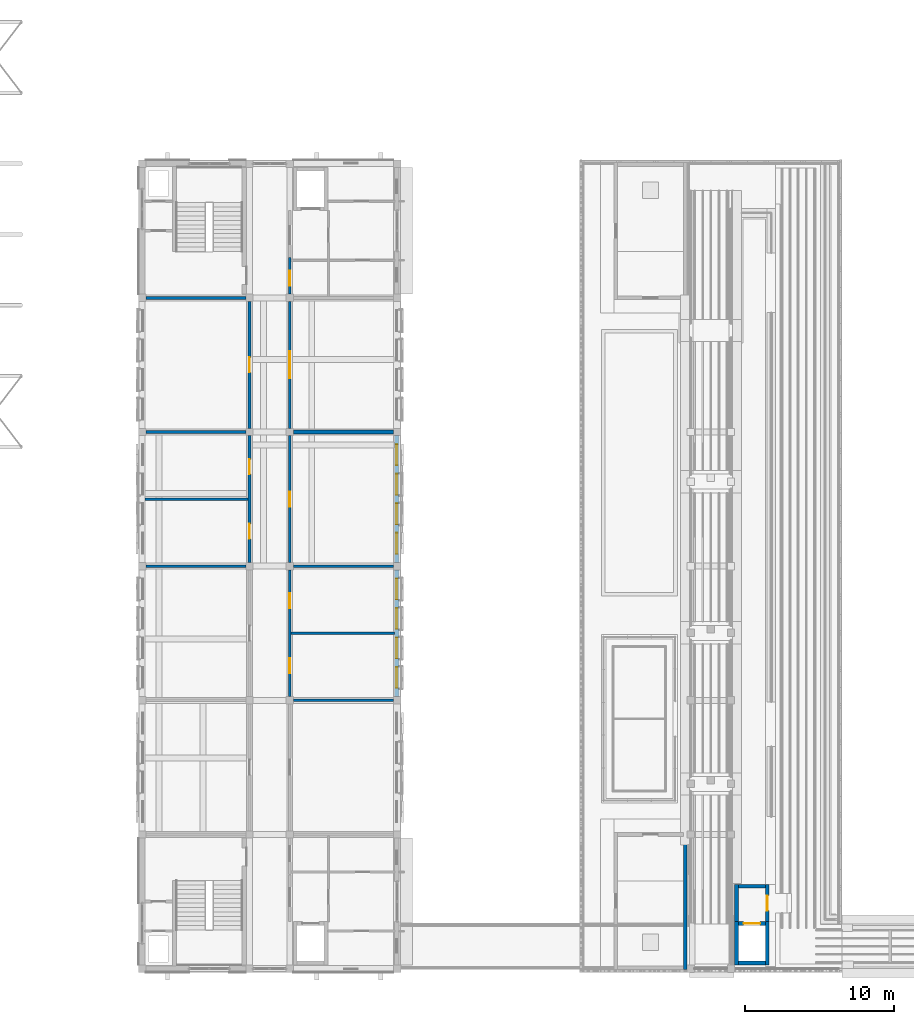
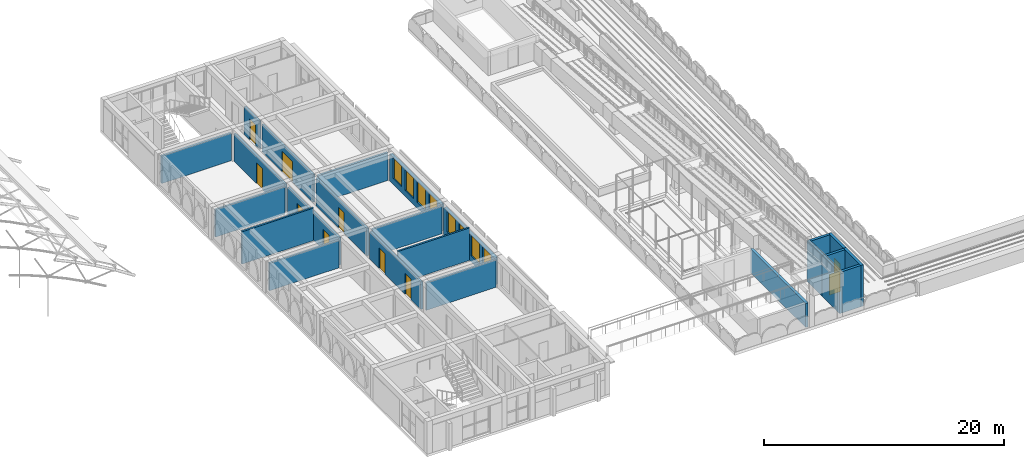
# One storey, part 31 of 50: 24 walls, 10 doors, 8 windows, 18 openings.
"""IFC4 building model written with IfcOpenShell, lengths in metres."""

from ifc_helpers import new_model, si_unit, direction, frame, frame_2d, origin, place, context, subcontext, project, spatial, rectangle, extrude, material, layer, layer_set, type_object, element, fill, save


model = new_model("IFC4")

# Units and contexts
model_context = context("Model", 3, precision=1e-05, world=origin(), true_north=direction((0.0, 1.0)))
body_context = subcontext(model_context, "Body", "Model", "MODEL_VIEW")
ifc_project = project(units=[si_unit("LENGTHUNIT", "METRE"), si_unit("AREAUNIT", "SQUARE_METRE"), si_unit("VOLUMEUNIT", "CUBIC_METRE"), si_unit("PLANEANGLEUNIT", "RADIAN"), si_unit("MASSUNIT", "GRAM", prefix="KILO")], contexts=[model_context])

# Site, building, storey
site_placement = place(None, origin())
site = spatial("IfcSite", under=ifc_project, at=site_placement, CompositionType="ELEMENT")
building_placement = place(site_placement, origin())
building = spatial("IfcBuilding", under=site, at=building_placement, Name="Elbe Cascade School", CompositionType="ELEMENT")
storey_placement = place(building_placement, frame((0.0, 0.0, 15.300048828125)))
storey = spatial("IfcBuildingStorey", under=building, at=storey_placement, Name="L04", CompositionType="ELEMENT", Elevation=15.300048828125)

# Walls
ifc_material_1 = material(Name="Masonry - lime-sand block, plastered", Category="masonry")
ifc_layer_1 = layer(ifc_material_1, 0.239990234375)
ifc_layer_set_1 = layer_set([ifc_layer_1], Name="Masonry - lime-sand block, plastered")
wall_type_1 = type_object("IfcWallType", Name="Bar acoustic partition wall lime-sand block 240", PredefinedType="PARTITIONING", material=ifc_layer_set_1)
wall_1_placement = place(storey_placement, frame((79.14990234375, 42.0, 0.0), z_axis=(0.0, 0.0, 1.0), x_axis=(1.0, 0.0, 0.0)))
element("IfcWall", 1, at=wall_1_placement, inside=storey, type_object=wall_type_1, Name="Bar acoustic partition wall lime-sand block 240", PredefinedType="PARTITIONING", context=body_context, shape_type="SweptSolid", body=[
    extrude(rectangle(XDim=6.7001953125, YDim=0.239990234375, at=frame_2d((3.35009765625, 0.0))), origin(), (0.0, 0.0, 1.0), 2.800048828125),
])
ifc_material_2 = material(Name="Masonry - lime-sand block, plastered", Category="masonry")
ifc_layer_2 = layer(ifc_material_2, 0.175048828125)
ifc_layer_set_2 = layer_set([ifc_layer_2], Name="Masonry - lime-sand block, plastered")
wall_type_2 = type_object("IfcWallType", Name="Bar classroom partition wall lime-sand block 175", PredefinedType="PARTITIONING", material=ifc_layer_set_2)
wall_2_placement = place(storey_placement, frame((69.25, 33.0, 0.0), z_axis=(0.0, 0.0, 1.0), x_axis=(1.0, 0.0, 0.0)))
element("IfcWall", 2, at=wall_2_placement, inside=storey, type_object=wall_type_2, Name="Bar classroom partition wall lime-sand block 175", PredefinedType="PARTITIONING", context=body_context, shape_type="SweptSolid", body=[
    extrude(rectangle(XDim=6.699951171875, YDim=0.175048828125, at=frame_2d((3.35009765625, 0.0))), origin(), (0.0, 0.0, 1.0), 2.800048828125),
])
wall_3_placement = place(storey_placement, frame((69.179931640625, 37.5, 0.0), z_axis=(0.0, 0.0, 1.0), x_axis=(1.0, 0.0, 0.0)))
element("IfcWall", 3, at=wall_3_placement, inside=storey, type_object=wall_type_2, Name="Bar classroom partition wall lime-sand block 175", PredefinedType="PARTITIONING", context=body_context, shape_type="SweptSolid", body=[
    extrude(rectangle(XDim=6.920166015625, YDim=0.175048828125, at=frame_2d((3.4599609375, 0.0))), origin(), (0.0, 0.0, 1.0), 3.300048828125),
])
wall_4_placement = place(storey_placement, frame((69.25, 42.0, 0.0), z_axis=(0.0, 0.0, 1.0), x_axis=(1.0, 0.0, 0.0)))
element("IfcWall", 4, at=wall_4_placement, inside=storey, type_object=wall_type_2, Name="Bar classroom partition wall lime-sand block 175", PredefinedType="PARTITIONING", context=body_context, shape_type="SweptSolid", body=[
    extrude(rectangle(XDim=6.699951171875, YDim=0.175048828125, at=frame_2d((3.35009765625, 0.0))), origin(), (0.0, 0.0, 1.0), 2.800048828125),
])
wall_5_placement = place(storey_placement, frame((79.14990234375, 24.0, 0.0), z_axis=(0.0, 0.0, 1.0), x_axis=(1.0, 0.0, 0.0)))
element("IfcWall", 5, at=wall_5_placement, inside=storey, type_object=wall_type_2, Name="Bar classroom partition wall lime-sand block 175", PredefinedType="PARTITIONING", context=body_context, shape_type="SweptSolid", body=[
    extrude(rectangle(XDim=6.7001953125, YDim=0.175048828125, at=frame_2d((3.35009765625, 0.0))), origin(), (0.0, 0.0, 1.0), 2.800048828125),
])
wall_6_placement = place(storey_placement, frame((79.0, 28.5, 0.0), z_axis=(0.0, 0.0, 1.0), x_axis=(1.0, 0.0, 0.0)))
element("IfcWall", 6, at=wall_6_placement, inside=storey, type_object=wall_type_2, Name="Bar classroom partition wall lime-sand block 175", PredefinedType="PARTITIONING", context=body_context, shape_type="SweptSolid", body=[
    extrude(rectangle(XDim=6.919921875, YDim=0.175048828125, at=frame_2d((3.4599609375, 0.0))), origin(), (0.0, 0.0, 1.0), 3.300048828125),
])
wall_7_placement = place(storey_placement, frame((79.14990234375, 33.0, 0.0), z_axis=(0.0, 0.0, 1.0), x_axis=(1.0, 0.0, 0.0)))
element("IfcWall", 7, at=wall_7_placement, inside=storey, type_object=wall_type_2, Name="Bar classroom partition wall lime-sand block 175", PredefinedType="PARTITIONING", context=body_context, shape_type="SweptSolid", body=[
    extrude(rectangle(XDim=6.7001953125, YDim=0.175048828125, at=frame_2d((3.35009765625, 0.0))), origin(), (0.0, 0.0, 1.0), 2.800048828125),
])

# Wall, opening, door
ifc_material_3 = material(Name="Masonry - lime-sand block, plastered", Category="masonry")
ifc_layer_3 = layer(ifc_material_3, 0.199951171875)
ifc_layer_set_3 = layer_set([ifc_layer_3], Name="Masonry - lime-sand block, plastered")
wall_type_3 = type_object("IfcWallType", Name="Bar corridor wall lime-sand block 200 EI 30", PredefinedType="PARTITIONING", material=ifc_layer_set_3)
wall_8_placement = place(storey_placement, frame((78.89990234375, 51.25, 0.0), z_axis=(0.0, 0.0, 1.0), x_axis=(0.0, 1.0, 0.0)))
wall_8 = element("IfcWall", 8, at=wall_8_placement, inside=storey, type_object=wall_type_3, Name="Bar corridor wall lime-sand block 200 EI 30", PredefinedType="PARTITIONING", context=body_context, shape_type="SweptSolid", body=[
    extrude(rectangle(XDim=2.449951171875, YDim=0.199951171875, at=frame_2d((1.22509765625, 0.0))), origin(), (0.0, 0.0, 1.0), 2.800048828125),
])
opening_1_placement = place(wall_8_placement, frame((0.550048828125, 0.0, 0.0)))
opening_1 = element("IfcOpeningElement", 9, at=opening_1_placement, cuts=wall_8, Name="Opening D4.020", PredefinedType="OPENING", context=body_context, shape_type="SweptSolid", body=[
    extrude(rectangle(XDim=1.0, YDim=2.10009765625, at=frame_2d((0.5, 1.050048828125))), frame((0.0, 0.10986328125, 0.0), z_axis=(0.0, -1.0, 0.0), x_axis=(1.0, 0.0, 0.0)), (0.0, 0.0, 1.0), 0.219970703125),
])
ifc_material_4 = material(Name="Timber door leaf, fire-resisting, steel frame", Category="steel")
door_type_1 = type_object("IfcDoorType", Name="Bar door FD30 1000x2100", OperationType="NOTDEFINED", PredefinedType="DOOR", material=ifc_material_4)
door_1_placement = place(opening_1_placement, origin())
door_1 = element("IfcDoor", 10, at=door_1_placement, inside=storey, type_object=door_type_1, Name="Door A4.19", OperationType="SINGLE_SWING_RIGHT", OverallHeight=2.10009765625, OverallWidth=1.0, PredefinedType="DOOR", context=body_context, shape_type="SweptSolid", body=[
    extrude(rectangle(XDim=1.0, YDim=2.10009765625, at=frame_2d((0.5, 1.050048828125))), frame((0.0, 0.02490234375, 0.0), z_axis=(0.0, -1.0, 0.0), x_axis=(1.0, 0.0, 0.0)), (0.0, 0.0, 1.0), 0.050048828125),
])
fill(opening_1, door_1)

# Wall, openings, doors
wall_9_placement = place(storey_placement, frame((76.199951171875, 33.25, 0.0), z_axis=(0.0, 0.0, 1.0), x_axis=(0.0, 1.0, 0.0)))
wall_9 = element("IfcWall", 11, at=wall_9_placement, inside=storey, type_object=wall_type_3, Name="Bar corridor wall lime-sand block 200 EI 30", PredefinedType="PARTITIONING", context=body_context, shape_type="SweptSolid", body=[
    extrude(rectangle(XDim=8.5, YDim=0.199951171875, at=frame_2d((4.25, 0.0))), origin(), (0.0, 0.0, 1.0), 2.800048828125),
])
opening_2_placement = place(wall_9_placement, frame((1.581298828125, 0.0, 0.0)))
opening_2 = element("IfcOpeningElement", 12, at=opening_2_placement, cuts=wall_9, Name="Opening D4.015", PredefinedType="OPENING", context=body_context, shape_type="SweptSolid", body=[
    extrude(rectangle(XDim=1.0, YDim=2.10009765625, at=frame_2d((0.5, 1.050048828125))), frame((0.0, 0.10986328125, 0.0), z_axis=(0.0, -1.0, 0.0), x_axis=(1.0, 0.0, 0.0)), (0.0, 0.0, 1.0), 0.219970703125),
])
opening_3_placement = place(wall_9_placement, frame((5.918701171875, 0.0, 0.0)))
opening_3 = element("IfcOpeningElement", 13, at=opening_3_placement, cuts=wall_9, Name="Opening D4.017", PredefinedType="OPENING", context=body_context, shape_type="SweptSolid", body=[
    extrude(rectangle(XDim=1.0, YDim=2.10009765625, at=frame_2d((0.5, 1.050048828125))), frame((0.0, 0.10986328125, 0.0), z_axis=(0.0, -1.0, 0.0), x_axis=(1.0, 0.0, 0.0)), (0.0, 0.0, 1.0), 0.219970703125),
])
door_2_placement = place(opening_2_placement, origin())
door_2 = element("IfcDoor", 14, at=door_2_placement, inside=storey, type_object=door_type_1, Name="Door A4.22", OperationType="SINGLE_SWING_LEFT", OverallHeight=2.10009765625, OverallWidth=1.0, PredefinedType="DOOR", context=body_context, shape_type="SweptSolid", body=[
    extrude(rectangle(XDim=1.0, YDim=2.10009765625, at=frame_2d((0.5, 1.050048828125))), frame((0.0, 0.02490234375, 0.0), z_axis=(0.0, -1.0, 0.0), x_axis=(1.0, 0.0, 0.0)), (0.0, 0.0, 1.0), 0.050048828125),
])
fill(opening_2, door_2)
door_3_placement = place(opening_3_placement, origin())
door_3 = element("IfcDoor", 15, at=door_3_placement, inside=storey, type_object=door_type_1, Name="Door A4.23", OperationType="SINGLE_SWING_RIGHT", OverallHeight=2.10009765625, OverallWidth=1.0, PredefinedType="DOOR", context=body_context, shape_type="SweptSolid", body=[
    extrude(rectangle(XDim=1.0, YDim=2.10009765625, at=frame_2d((0.5, 1.050048828125))), frame((0.0, 0.02490234375, 0.0), z_axis=(0.0, -1.0, 0.0), x_axis=(1.0, 0.0, 0.0)), (0.0, 0.0, 1.0), 0.050048828125),
])
fill(opening_3, door_3)

# Wall, opening, door
wall_10_placement = place(storey_placement, frame((76.199951171875, 42.25, 0.0), z_axis=(0.0, 0.0, 1.0), x_axis=(0.0, 1.0, 0.0)))
wall_10 = element("IfcWall", 16, at=wall_10_placement, inside=storey, type_object=wall_type_3, Name="Bar corridor wall lime-sand block 200 EI 30", PredefinedType="PARTITIONING", context=body_context, shape_type="SweptSolid", body=[
    extrude(rectangle(XDim=8.5, YDim=0.199951171875, at=frame_2d((4.25, 0.0))), origin(), (0.0, 0.0, 1.0), 2.800048828125),
])
opening_4_placement = place(wall_10_placement, frame((3.75, 0.0, 0.0)))
opening_4 = element("IfcOpeningElement", 17, at=opening_4_placement, cuts=wall_10, Name="Opening D4.018", PredefinedType="OPENING", context=body_context, shape_type="SweptSolid", body=[
    extrude(rectangle(XDim=1.0, YDim=2.10009765625, at=frame_2d((0.5, 1.050048828125))), frame((0.0, 0.10986328125, 0.0), z_axis=(0.0, -1.0, 0.0), x_axis=(1.0, 0.0, 0.0)), (0.0, 0.0, 1.0), 0.219970703125),
])
door_4_placement = place(opening_4_placement, origin())
door_4 = element("IfcDoor", 18, at=door_4_placement, inside=storey, type_object=door_type_1, Name="Door A4.24", OperationType="SINGLE_SWING_LEFT", OverallHeight=2.10009765625, OverallWidth=1.0, PredefinedType="DOOR", context=body_context, shape_type="SweptSolid", body=[
    extrude(rectangle(XDim=1.0, YDim=2.10009765625, at=frame_2d((0.5, 1.050048828125))), frame((0.0, 0.02490234375, 0.0), z_axis=(0.0, -1.0, 0.0), x_axis=(1.0, 0.0, 0.0)), (0.0, 0.0, 1.0), 0.050048828125),
])
fill(opening_4, door_4)

# Wall, openings, doors
wall_11_placement = place(storey_placement, frame((78.89990234375, 32.75, 0.0), z_axis=(0.0, 0.0, 1.0), x_axis=(0.0, -1.0, 0.0)))
wall_11 = element("IfcWall", 19, at=wall_11_placement, inside=storey, type_object=wall_type_3, Name="Bar corridor wall lime-sand block 200 EI 30", PredefinedType="PARTITIONING", context=body_context, shape_type="SweptSolid", body=[
    extrude(rectangle(XDim=8.5, YDim=0.199951171875, at=frame_2d((4.25, 0.0))), origin(), (0.0, 0.0, 1.0), 2.800048828125),
])
opening_5_placement = place(wall_11_placement, frame((5.918701171875, 0.0, 0.0)))
opening_5 = element("IfcOpeningElement", 20, at=opening_5_placement, cuts=wall_11, Name="Opening D4.012", PredefinedType="OPENING", context=body_context, shape_type="SweptSolid", body=[
    extrude(rectangle(XDim=1.0, YDim=2.10009765625, at=frame_2d((0.5, 1.050048828125))), frame((0.0, 0.10986328125, 0.0), z_axis=(0.0, -1.0, 0.0), x_axis=(1.0, 0.0, 0.0)), (0.0, 0.0, 1.0), 0.219970703125),
])
opening_6_placement = place(wall_11_placement, frame((1.581298828125, 0.0, 0.0)))
opening_6 = element("IfcOpeningElement", 21, at=opening_6_placement, cuts=wall_11, Name="Opening D4.014", PredefinedType="OPENING", context=body_context, shape_type="SweptSolid", body=[
    extrude(rectangle(XDim=1.0, YDim=2.10009765625, at=frame_2d((0.5, 1.050048828125))), frame((0.0, 0.10986328125, 0.0), z_axis=(0.0, -1.0, 0.0), x_axis=(1.0, 0.0, 0.0)), (0.0, 0.0, 1.0), 0.219970703125),
])
door_5_placement = place(opening_5_placement, origin())
door_5 = element("IfcDoor", 22, at=door_5_placement, inside=storey, type_object=door_type_1, Name="Door A4.26", OperationType="SINGLE_SWING_LEFT", OverallHeight=2.10009765625, OverallWidth=1.0, PredefinedType="DOOR", context=body_context, shape_type="SweptSolid", body=[
    extrude(rectangle(XDim=1.0, YDim=2.10009765625, at=frame_2d((0.5, 1.050048828125))), frame((0.0, 0.02490234375, 0.0), z_axis=(0.0, -1.0, 0.0), x_axis=(1.0, 0.0, 0.0)), (0.0, 0.0, 1.0), 0.050048828125),
])
fill(opening_5, door_5)
door_6_placement = place(opening_6_placement, origin())
door_6 = element("IfcDoor", 23, at=door_6_placement, inside=storey, type_object=door_type_1, Name="Door A4.27", OperationType="SINGLE_SWING_RIGHT", OverallHeight=2.10009765625, OverallWidth=1.0, PredefinedType="DOOR", context=body_context, shape_type="SweptSolid", body=[
    extrude(rectangle(XDim=1.0, YDim=2.10009765625, at=frame_2d((0.5, 1.050048828125))), frame((0.0, 0.02490234375, 0.0), z_axis=(0.0, -1.0, 0.0), x_axis=(1.0, 0.0, 0.0)), (0.0, 0.0, 1.0), 0.050048828125),
])
fill(opening_6, door_6)

# Wall, opening, door
wall_12_placement = place(storey_placement, frame((78.89990234375, 41.75, 0.0), z_axis=(0.0, 0.0, 1.0), x_axis=(0.0, -1.0, 0.0)))
wall_12 = element("IfcWall", 24, at=wall_12_placement, inside=storey, type_object=wall_type_3, Name="Bar corridor wall lime-sand block 200 EI 30", PredefinedType="PARTITIONING", context=body_context, shape_type="SweptSolid", body=[
    extrude(rectangle(XDim=8.5, YDim=0.199951171875, at=frame_2d((4.25, 0.0))), origin(), (0.0, 0.0, 1.0), 2.800048828125),
])
opening_7_placement = place(wall_12_placement, frame((3.75, 0.0, 0.0)))
opening_7 = element("IfcOpeningElement", 25, at=opening_7_placement, cuts=wall_12, Name="Opening D4.016", PredefinedType="OPENING", context=body_context, shape_type="SweptSolid", body=[
    extrude(rectangle(XDim=1.0, YDim=2.10009765625, at=frame_2d((0.5, 1.050048828125))), frame((0.0, 0.10986328125, 0.0), z_axis=(0.0, -1.0, 0.0), x_axis=(1.0, 0.0, 0.0)), (0.0, 0.0, 1.0), 0.219970703125),
])
door_7_placement = place(opening_7_placement, origin())
door_7 = element("IfcDoor", 26, at=door_7_placement, inside=storey, type_object=door_type_1, Name="Door A4.28", OperationType="SINGLE_SWING_LEFT", OverallHeight=2.10009765625, OverallWidth=1.0, PredefinedType="DOOR", context=body_context, shape_type="SweptSolid", body=[
    extrude(rectangle(XDim=1.0, YDim=2.10009765625, at=frame_2d((0.5, 1.050048828125))), frame((0.0, 0.02490234375, 0.0), z_axis=(0.0, -1.0, 0.0), x_axis=(1.0, 0.0, 0.0)), (0.0, 0.0, 1.0), 0.050048828125),
])
fill(opening_7, door_7)

wall_13_placement = place(storey_placement, frame((78.89990234375, 50.75, 0.0), z_axis=(0.0, 0.0, 1.0), x_axis=(0.0, -1.0, 0.0)))
wall_13 = element("IfcWall", 27, at=wall_13_placement, inside=storey, type_object=wall_type_3, Name="Bar corridor wall lime-sand block 200 EI 30", PredefinedType="PARTITIONING", context=body_context, shape_type="SweptSolid", body=[
    extrude(rectangle(XDim=8.5, YDim=0.199951171875, at=frame_2d((4.25, 0.0))), origin(), (0.0, 0.0, 1.0), 2.800048828125),
])
opening_8_placement = place(wall_13_placement, frame((3.35009765625, 0.0, 0.0)))
opening_8 = element("IfcOpeningElement", 28, at=opening_8_placement, cuts=wall_13, Name="Opening D4.019", PredefinedType="OPENING", context=body_context, shape_type="SweptSolid", body=[
    extrude(rectangle(XDim=1.800048828125, YDim=2.10009765625, at=frame_2d((0.89990234375, 1.050048828125))), frame((0.0, 0.10986328125, 0.0), z_axis=(0.0, -1.0, 0.0), x_axis=(1.0, 0.0, 0.0)), (0.0, 0.0, 1.0), 0.219970703125),
])
ifc_material_5 = material(Name="Timber door leaves, fire-resisting, steel frame", Category="steel")
door_type_2 = type_object("IfcDoorType", Name="Bar door FD30 1800x2100", OperationType="NOTDEFINED", PredefinedType="DOOR", material=ifc_material_5)
door_8_placement = place(opening_8_placement, origin())
door_8 = element("IfcDoor", 29, at=door_8_placement, inside=storey, type_object=door_type_2, Name="Door A4.29", OperationType="DOUBLE_DOOR_DOUBLE_SWING", OverallHeight=2.10009765625, OverallWidth=1.800048828125, PredefinedType="DOOR", context=body_context, shape_type="SweptSolid", body=[
    extrude(rectangle(XDim=1.800048828125, YDim=2.10009765625, at=frame_2d((0.89990234375, 1.050048828125))), frame((0.0, 0.02490234375, 0.0), z_axis=(0.0, -1.0, 0.0), x_axis=(1.0, 0.0, 0.0)), (0.0, 0.0, 1.0), 0.050048828125),
])
fill(opening_8, door_8)

# Wall
ifc_material_6 = material(Name="Concrete C30/37", Category="concrete")
ifc_layer_4 = layer(ifc_material_6, 0.199951171875)
ifc_layer_set_4 = layer_set([ifc_layer_4], Name="Concrete C30/37")
wall_type_4 = type_object("IfcWallType", Name="Bar stair lobby wall RC 200", PredefinedType="SOLIDWALL", material=ifc_layer_set_4)
wall_14_placement = place(storey_placement, frame((69.25, 51.0, 0.0), z_axis=(0.0, 0.0, 1.0), x_axis=(1.0, 0.0, 0.0)))
element("IfcWall", 30, at=wall_14_placement, inside=storey, type_object=wall_type_4, Name="Bar stair lobby wall RC 200", PredefinedType="SOLIDWALL", context=body_context, shape_type="SweptSolid", body=[
    extrude(rectangle(XDim=6.699951171875, YDim=0.199951171875, at=frame_2d((3.35009765625, 0.0))), origin(), (0.0, 0.0, 1.0), 2.800048828125),
])

# Wall, openings, windows
ifc_material_7 = material(Name="Brick masonry - red clinker, cavity wall with render backing", Category="masonry")
ifc_layer_5 = layer(ifc_material_7, 0.300048828125)
ifc_layer_set_5 = layer_set([ifc_layer_5], Name="Brick masonry - red clinker, cavity wall with render backing")
wall_type_5 = type_object("IfcWallType", Name="Bars envelope External wall - clinker brick cavity, 300 upper floors", PredefinedType="STANDARD", material=ifc_layer_set_5)
wall_15_placement = place(storey_placement, frame((86.070068359375, 32.75, 0.0), z_axis=(0.0, 0.0, 1.0), x_axis=(0.0, -1.0, 0.0)))
wall_15 = element("IfcWall", 31, at=wall_15_placement, inside=storey, type_object=wall_type_5, Name="External wall W30 A.L04.e3", PredefinedType="STANDARD", context=body_context, shape_type="SweptSolid", body=[
    extrude(rectangle(XDim=8.5, YDim=0.300048828125, at=frame_2d((4.25, 0.0))), origin(), (0.0, 0.0, 1.0), 2.75),
])
opening_9_placement = place(wall_15_placement, frame((6.52001953125, 0.0, 0.60009765625)))
opening_9 = element("IfcOpeningElement", 32, at=opening_9_placement, cuts=wall_15, Name="Opening W4.013", PredefinedType="OPENING", context=body_context, shape_type="SweptSolid", body=[
    extrude(rectangle(XDim=1.39990234375, YDim=2.10009765625, at=frame_2d((0.699951171875, 1.050048828125))), frame((0.0, 0.159912109375, 0.0), z_axis=(0.0, -1.0, 0.0), x_axis=(1.0, 0.0, 0.0)), (0.0, 0.0, 1.0), 0.320068359375),
])
opening_10_placement = place(wall_15_placement, frame((4.5400390625, 0.0, 0.60009765625)))
opening_10 = element("IfcOpeningElement", 33, at=opening_10_placement, cuts=wall_15, Name="Opening W4.015", PredefinedType="OPENING", context=body_context, shape_type="SweptSolid", body=[
    extrude(rectangle(XDim=1.39990234375, YDim=2.10009765625, at=frame_2d((0.699951171875, 1.050048828125))), frame((0.0, 0.159912109375, 0.0), z_axis=(0.0, -1.0, 0.0), x_axis=(1.0, 0.0, 0.0)), (0.0, 0.0, 1.0), 0.320068359375),
])
opening_11_placement = place(wall_15_placement, frame((2.56005859375, 0.0, 0.60009765625)))
opening_11 = element("IfcOpeningElement", 34, at=opening_11_placement, cuts=wall_15, Name="Opening W4.017", PredefinedType="OPENING", context=body_context, shape_type="SweptSolid", body=[
    extrude(rectangle(XDim=1.39990234375, YDim=2.10009765625, at=frame_2d((0.699951171875, 1.050048828125))), frame((0.0, 0.159912109375, 0.0), z_axis=(0.0, -1.0, 0.0), x_axis=(1.0, 0.0, 0.0)), (0.0, 0.0, 1.0), 0.320068359375),
])
opening_12_placement = place(wall_15_placement, frame((0.580078125, 0.0, 0.60009765625)))
opening_12 = element("IfcOpeningElement", 35, at=opening_12_placement, cuts=wall_15, Name="Opening W4.019", PredefinedType="OPENING", context=body_context, shape_type="SweptSolid", body=[
    extrude(rectangle(XDim=1.39990234375, YDim=2.10009765625, at=frame_2d((0.699951171875, 1.050048828125))), frame((0.0, 0.159912109375, 0.0), z_axis=(0.0, -1.0, 0.0), x_axis=(1.0, 0.0, 0.0)), (0.0, 0.0, 1.0), 0.320068359375),
])
ifc_material_8 = material(Name="Aluminium frame with double glazing, bronze anodised", Category="aluminium")
window_type = type_object("IfcWindowType", Name="Bars envelope Window 1400 x 2100, classroom, aluminium double glazed", PartitioningType="DOUBLE_PANEL_VERTICAL", PredefinedType="WINDOW", material=ifc_material_8)
window_1_placement = place(opening_9_placement, origin())
window_1 = element("IfcWindow", 36, at=window_1_placement, inside=storey, type_object=window_type, Name="Window WN8 A.L04.e3.1", OverallHeight=2.10009765625, OverallWidth=1.39990234375, PartitioningType="DOUBLE_PANEL_VERTICAL", PredefinedType="WINDOW", context=body_context, shape_type="SweptSolid", body=[
    extrude(rectangle(XDim=1.39990234375, YDim=2.10009765625, at=frame_2d((0.699951171875, 1.050048828125))), frame((0.0, 0.030029296875, 0.0), z_axis=(0.0, -1.0, 0.0), x_axis=(1.0, 0.0, 0.0)), (0.0, 0.0, 1.0), 0.06005859375),
])
fill(opening_9, window_1)
window_2_placement = place(opening_10_placement, origin())
window_2 = element("IfcWindow", 37, at=window_2_placement, inside=storey, type_object=window_type, Name="Window WN8 A.L04.e3.2", OverallHeight=2.10009765625, OverallWidth=1.39990234375, PartitioningType="DOUBLE_PANEL_VERTICAL", PredefinedType="WINDOW", context=body_context, shape_type="SweptSolid", body=[
    extrude(rectangle(XDim=1.39990234375, YDim=2.10009765625, at=frame_2d((0.699951171875, 1.050048828125))), frame((0.0, 0.030029296875, 0.0), z_axis=(0.0, -1.0, 0.0), x_axis=(1.0, 0.0, 0.0)), (0.0, 0.0, 1.0), 0.06005859375),
])
fill(opening_10, window_2)
window_3_placement = place(opening_11_placement, origin())
window_3 = element("IfcWindow", 38, at=window_3_placement, inside=storey, type_object=window_type, Name="Window WN8 A.L04.e3.3", OverallHeight=2.10009765625, OverallWidth=1.39990234375, PartitioningType="DOUBLE_PANEL_VERTICAL", PredefinedType="WINDOW", context=body_context, shape_type="SweptSolid", body=[
    extrude(rectangle(XDim=1.39990234375, YDim=2.10009765625, at=frame_2d((0.699951171875, 1.050048828125))), frame((0.0, 0.030029296875, 0.0), z_axis=(0.0, -1.0, 0.0), x_axis=(1.0, 0.0, 0.0)), (0.0, 0.0, 1.0), 0.06005859375),
])
fill(opening_11, window_3)
window_4_placement = place(opening_12_placement, origin())
window_4 = element("IfcWindow", 39, at=window_4_placement, inside=storey, type_object=window_type, Name="Window WN8 A.L04.e3.4", OverallHeight=2.10009765625, OverallWidth=1.39990234375, PartitioningType="DOUBLE_PANEL_VERTICAL", PredefinedType="WINDOW", context=body_context, shape_type="SweptSolid", body=[
    extrude(rectangle(XDim=1.39990234375, YDim=2.10009765625, at=frame_2d((0.699951171875, 1.050048828125))), frame((0.0, 0.030029296875, 0.0), z_axis=(0.0, -1.0, 0.0), x_axis=(1.0, 0.0, 0.0)), (0.0, 0.0, 1.0), 0.06005859375),
])
fill(opening_12, window_4)

wall_16_placement = place(storey_placement, frame((86.070068359375, 41.75, 0.0), z_axis=(0.0, 0.0, 1.0), x_axis=(0.0, -1.0, 0.0)))
wall_16 = element("IfcWall", 40, at=wall_16_placement, inside=storey, type_object=wall_type_5, Name="External wall W30 A.L04.e4", PredefinedType="STANDARD", context=body_context, shape_type="SweptSolid", body=[
    extrude(rectangle(XDim=8.5, YDim=0.300048828125, at=frame_2d((4.25, 0.0))), origin(), (0.0, 0.0, 1.0), 2.75),
])
opening_13_placement = place(wall_16_placement, frame((6.52001953125, 0.0, 0.60009765625)))
opening_13 = element("IfcOpeningElement", 41, at=opening_13_placement, cuts=wall_16, Name="Opening W4.021", PredefinedType="OPENING", context=body_context, shape_type="SweptSolid", body=[
    extrude(rectangle(XDim=1.39990234375, YDim=2.10009765625, at=frame_2d((0.699951171875, 1.050048828125))), frame((0.0, 0.159912109375, 0.0), z_axis=(0.0, -1.0, 0.0), x_axis=(1.0, 0.0, 0.0)), (0.0, 0.0, 1.0), 0.320068359375),
])
opening_14_placement = place(wall_16_placement, frame((4.5400390625, 0.0, 0.60009765625)))
opening_14 = element("IfcOpeningElement", 42, at=opening_14_placement, cuts=wall_16, Name="Opening W4.023", PredefinedType="OPENING", context=body_context, shape_type="SweptSolid", body=[
    extrude(rectangle(XDim=1.39990234375, YDim=2.10009765625, at=frame_2d((0.699951171875, 1.050048828125))), frame((0.0, 0.159912109375, 0.0), z_axis=(0.0, -1.0, 0.0), x_axis=(1.0, 0.0, 0.0)), (0.0, 0.0, 1.0), 0.320068359375),
])
opening_15_placement = place(wall_16_placement, frame((2.56005859375, 0.0, 0.60009765625)))
opening_15 = element("IfcOpeningElement", 43, at=opening_15_placement, cuts=wall_16, Name="Opening W4.025", PredefinedType="OPENING", context=body_context, shape_type="SweptSolid", body=[
    extrude(rectangle(XDim=1.39990234375, YDim=2.10009765625, at=frame_2d((0.699951171875, 1.050048828125))), frame((0.0, 0.159912109375, 0.0), z_axis=(0.0, -1.0, 0.0), x_axis=(1.0, 0.0, 0.0)), (0.0, 0.0, 1.0), 0.320068359375),
])
opening_16_placement = place(wall_16_placement, frame((0.580078125, 0.0, 0.60009765625)))
opening_16 = element("IfcOpeningElement", 44, at=opening_16_placement, cuts=wall_16, Name="Opening W4.027", PredefinedType="OPENING", context=body_context, shape_type="SweptSolid", body=[
    extrude(rectangle(XDim=1.39990234375, YDim=2.10009765625, at=frame_2d((0.699951171875, 1.050048828125))), frame((0.0, 0.159912109375, 0.0), z_axis=(0.0, -1.0, 0.0), x_axis=(1.0, 0.0, 0.0)), (0.0, 0.0, 1.0), 0.320068359375),
])
window_5_placement = place(opening_13_placement, origin())
window_5 = element("IfcWindow", 45, at=window_5_placement, inside=storey, type_object=window_type, Name="Window WN8 A.L04.e4.1", OverallHeight=2.10009765625, OverallWidth=1.39990234375, PartitioningType="DOUBLE_PANEL_VERTICAL", PredefinedType="WINDOW", context=body_context, shape_type="SweptSolid", body=[
    extrude(rectangle(XDim=1.39990234375, YDim=2.10009765625, at=frame_2d((0.699951171875, 1.050048828125))), frame((0.0, 0.030029296875, 0.0), z_axis=(0.0, -1.0, 0.0), x_axis=(1.0, 0.0, 0.0)), (0.0, 0.0, 1.0), 0.06005859375),
])
fill(opening_13, window_5)
window_6_placement = place(opening_14_placement, origin())
window_6 = element("IfcWindow", 46, at=window_6_placement, inside=storey, type_object=window_type, Name="Window WN8 A.L04.e4.2", OverallHeight=2.10009765625, OverallWidth=1.39990234375, PartitioningType="DOUBLE_PANEL_VERTICAL", PredefinedType="WINDOW", context=body_context, shape_type="SweptSolid", body=[
    extrude(rectangle(XDim=1.39990234375, YDim=2.10009765625, at=frame_2d((0.699951171875, 1.050048828125))), frame((0.0, 0.030029296875, 0.0), z_axis=(0.0, -1.0, 0.0), x_axis=(1.0, 0.0, 0.0)), (0.0, 0.0, 1.0), 0.06005859375),
])
fill(opening_14, window_6)
window_7_placement = place(opening_15_placement, origin())
window_7 = element("IfcWindow", 47, at=window_7_placement, inside=storey, type_object=window_type, Name="Window WN8 A.L04.e4.3", OverallHeight=2.10009765625, OverallWidth=1.39990234375, PartitioningType="DOUBLE_PANEL_VERTICAL", PredefinedType="WINDOW", context=body_context, shape_type="SweptSolid", body=[
    extrude(rectangle(XDim=1.39990234375, YDim=2.10009765625, at=frame_2d((0.699951171875, 1.050048828125))), frame((0.0, 0.030029296875, 0.0), z_axis=(0.0, -1.0, 0.0), x_axis=(1.0, 0.0, 0.0)), (0.0, 0.0, 1.0), 0.06005859375),
])
fill(opening_15, window_7)
window_8_placement = place(opening_16_placement, origin())
window_8 = element("IfcWindow", 48, at=window_8_placement, inside=storey, type_object=window_type, Name="Window WN8 A.L04.e4.4", OverallHeight=2.10009765625, OverallWidth=1.39990234375, PartitioningType="DOUBLE_PANEL_VERTICAL", PredefinedType="WINDOW", context=body_context, shape_type="SweptSolid", body=[
    extrude(rectangle(XDim=1.39990234375, YDim=2.10009765625, at=frame_2d((0.699951171875, 1.050048828125))), frame((0.0, 0.030029296875, 0.0), z_axis=(0.0, -1.0, 0.0), x_axis=(1.0, 0.0, 0.0)), (0.0, 0.0, 1.0), 0.06005859375),
])
fill(opening_16, window_8)

# Walls
ifc_material_9 = material(Name="Concrete C30/37", Category="concrete")
ifc_layer_6 = layer(ifc_material_9, 0.25)
ifc_layer_set_6 = layer_set([ifc_layer_6], Name="Concrete C30/37")
wall_type_6 = type_object("IfcWallType", Name="Head-house wall 250", PredefinedType="SOLIDWALL", material=ifc_layer_set_6)
wall_17_placement = place(storey_placement, frame((105.425048828125, 5.929931640625, 0.0), z_axis=(0.0, 0.0, 1.0), x_axis=(0.0, 1.0, 0.0)))
element("IfcWall", 49, at=wall_17_placement, inside=storey, type_object=wall_type_6, Name="Head-house wall 250 W2", PredefinedType="SOLIDWALL", context=body_context, shape_type="SweptSolid", body=[
    extrude(rectangle(XDim=9.195068359375, YDim=0.25, at=frame_2d((4.59765625, 0.0))), origin(), (0.0, 0.0, 1.0), 2.449951171875),
])
ifc_material_10 = material(Name="Concrete C30/37", Category="concrete")
ifc_layer_7 = layer(ifc_material_10, 0.25)
ifc_layer_set_7 = layer_set([ifc_layer_7], Name="Concrete C30/37")
wall_type_7 = type_object("IfcWallType", Name="Head-house wall 250 EI 90", PredefinedType="SOLIDWALL", material=ifc_layer_set_7)
wall_18_placement = place(storey_placement, frame((108.875, 9.14990234375, 0.0), z_axis=(0.0, 0.0, 1.0), x_axis=(0.0, 1.0, 0.0)))
element("IfcWall", 50, at=wall_18_placement, inside=storey, type_object=wall_type_7, Name="Head-house wall 250 EI 90 W44", PredefinedType="SOLIDWALL", context=body_context, shape_type="SweptSolid", body=[
    extrude(rectangle(XDim=2.5, YDim=0.25, at=frame_2d((1.25, 0.0))), origin(), (0.0, 0.0, 1.0), 4.199951171875),
])

# Wall, opening, door
wall_19_placement = place(storey_placement, frame((110.925048828125, 11.64990234375, 0.0), z_axis=(0.0, 0.0, 1.0), x_axis=(0.0, -1.0, 0.0)))
wall_19 = element("IfcWall", 51, at=wall_19_placement, inside=storey, type_object=wall_type_7, Name="Head-house wall 250 EI 90 W44", PredefinedType="SOLIDWALL", context=body_context, shape_type="SweptSolid", body=[
    extrude(rectangle(XDim=2.5, YDim=0.25, at=frame_2d((1.25, 0.0))), origin(), (0.0, 0.0, 1.0), 4.199951171875),
])
opening_17_placement = place(wall_19_placement, frame((0.75, 0.0, 0.0)))
opening_17 = element("IfcOpeningElement", 52, at=opening_17_placement, cuts=wall_19, Name="Opening D4.030", PredefinedType="OPENING", context=body_context, shape_type="SweptSolid", body=[
    extrude(rectangle(XDim=1.0, YDim=2.10009765625, at=frame_2d((0.5, 1.050048828125))), frame((0.0, 0.135009765625, 0.0), z_axis=(0.0, -1.0, 0.0), x_axis=(1.0, 0.0, 0.0)), (0.0, 0.0, 1.0), 0.27001953125),
])
ifc_material_11 = material(Name="Head-house door 1000x2100")
door_type_3 = type_object("IfcDoorType", Name="Head-house door 1000x2100", OperationType="SINGLE_SWING_RIGHT", PredefinedType="DOOR", material=ifc_material_11)
door_9_placement = place(opening_17_placement, origin())
door_9 = element("IfcDoor", 53, at=door_9_placement, inside=storey, type_object=door_type_3, Name="Head-house door 1000x2100 D4.030", OperationType="SINGLE_SWING_RIGHT", OverallHeight=2.10009765625, OverallWidth=1.0, PredefinedType="DOOR", context=body_context, shape_type="SweptSolid", body=[
    extrude(rectangle(XDim=1.0, YDim=2.10009765625, at=frame_2d((0.5, 1.050048828125))), frame((0.0, 0.02490234375, 0.0), z_axis=(0.0, -1.0, 0.0), x_axis=(1.0, 0.0, 0.0)), (0.0, 0.0, 1.0), 0.050048828125),
])
fill(opening_17, door_9)

# Walls
wall_20_placement = place(storey_placement, frame((109.0, 11.52490234375, 0.0), z_axis=(0.0, 0.0, 1.0), x_axis=(1.0, 0.0, 0.0)))
element("IfcWall", 54, at=wall_20_placement, inside=storey, type_object=wall_type_7, Name="Head-house wall 250 EI 90 W44", PredefinedType="SOLIDWALL", context=body_context, shape_type="SweptSolid", body=[
    extrude(rectangle(XDim=1.800048828125, YDim=0.25, at=frame_2d((0.89990234375, 0.0))), origin(), (0.0, 0.0, 1.0), 4.199951171875),
])
ifc_material_12 = material(Name="Concrete C30/37", Category="concrete")
ifc_layer_8 = layer(ifc_material_12, 0.25)
ifc_layer_set_8 = layer_set([ifc_layer_8], Name="Concrete C30/37")
wall_type_8 = type_object("IfcWallType", Name="Shaft wall 250", PredefinedType="SHEAR", material=ifc_layer_set_8)
for number, where, z_axis, x_axis, name in (
    (55, (108.875, 6.25, 0.0), (0.0, 0.0, 1.0), (0.0, 1.0, 0.0), "Shaft wall 250 W1"),
    (56, (110.925048828125, 6.25, 0.0), (0.0, 0.0, 1.0), (0.0, 1.0, 0.0), "Shaft wall 250 W1"),
):
    element("IfcWall", number, at=place(storey_placement, frame(where, z_axis=z_axis, x_axis=x_axis)), inside=storey, type_object=wall_type_8, Name=name, PredefinedType="SHEAR", context=body_context, shape_type="SweptSolid", body=[
        extrude(rectangle(XDim=2.89990234375, YDim=0.25, at=frame_2d((1.449951171875, 0.0))), origin(), (0.0, 0.0, 1.0), 4.199951171875),
    ])
wall_21_placement = place(storey_placement, frame((109.0, 6.375, 0.0), z_axis=(0.0, 0.0, 1.0), x_axis=(1.0, 0.0, 0.0)))
element("IfcWall", 57, at=wall_21_placement, inside=storey, type_object=wall_type_8, Name="Shaft wall 250 W1", PredefinedType="SHEAR", context=body_context, shape_type="SweptSolid", body=[
    extrude(rectangle(XDim=1.800048828125, YDim=0.25, at=frame_2d((0.89990234375, 0.0))), origin(), (0.0, 0.0, 1.0), 4.199951171875),
])

# Wall, opening, door
wall_22_placement = place(storey_placement, frame((109.0, 9.02490234375, 0.0), z_axis=(0.0, 0.0, 1.0), x_axis=(1.0, 0.0, 0.0)))
wall_22 = element("IfcWall", 58, at=wall_22_placement, inside=storey, type_object=wall_type_8, Name="Shaft wall 250 W1", PredefinedType="SHEAR", context=body_context, shape_type="SweptSolid", body=[
    extrude(rectangle(XDim=1.800048828125, YDim=0.25, at=frame_2d((0.89990234375, 0.0))), origin(), (0.0, 0.0, 1.0), 4.199951171875),
])
opening_18_placement = place(wall_22_placement, frame((0.35009765625, 0.0, 0.0)))
opening_18 = element("IfcOpeningElement", 59, at=opening_18_placement, cuts=wall_22, Name="Opening D4.029", PredefinedType="OPENING", context=body_context, shape_type="SweptSolid", body=[
    extrude(rectangle(XDim=1.10009765625, YDim=2.10009765625, at=frame_2d((0.550048828125, 1.050048828125))), frame((0.0, 0.135009765625, 0.0), z_axis=(0.0, -1.0, 0.0), x_axis=(1.0, 0.0, 0.0)), (0.0, 0.0, 1.0), 0.27001953125),
])
ifc_material_13 = material(Name="Stainless steel sliding door leaf", Category="steel")
door_type_4 = type_object("IfcDoorType", Name="Bar lift landing door 1100x2100", OperationType="SLIDING_TO_LEFT", PredefinedType="DOOR", material=ifc_material_13)
door_10_placement = place(opening_18_placement, origin())
door_10 = element("IfcDoor", 60, at=door_10_placement, inside=storey, type_object=door_type_4, Name="Lift landing door LDB4.1", OperationType="SLIDING_TO_LEFT", OverallHeight=2.10009765625, OverallWidth=1.10009765625, PredefinedType="DOOR", context=body_context, shape_type="SweptSolid", body=[
    extrude(rectangle(XDim=1.10009765625, YDim=2.10009765625, at=frame_2d((0.550048828125, 1.050048828125))), frame((0.0, 0.02490234375, 0.0), z_axis=(0.0, -1.0, 0.0), x_axis=(1.0, 0.0, 0.0)), (0.0, 0.0, 1.0), 0.050048828125),
])
fill(opening_18, door_10)

save(model, "model.ifc")
